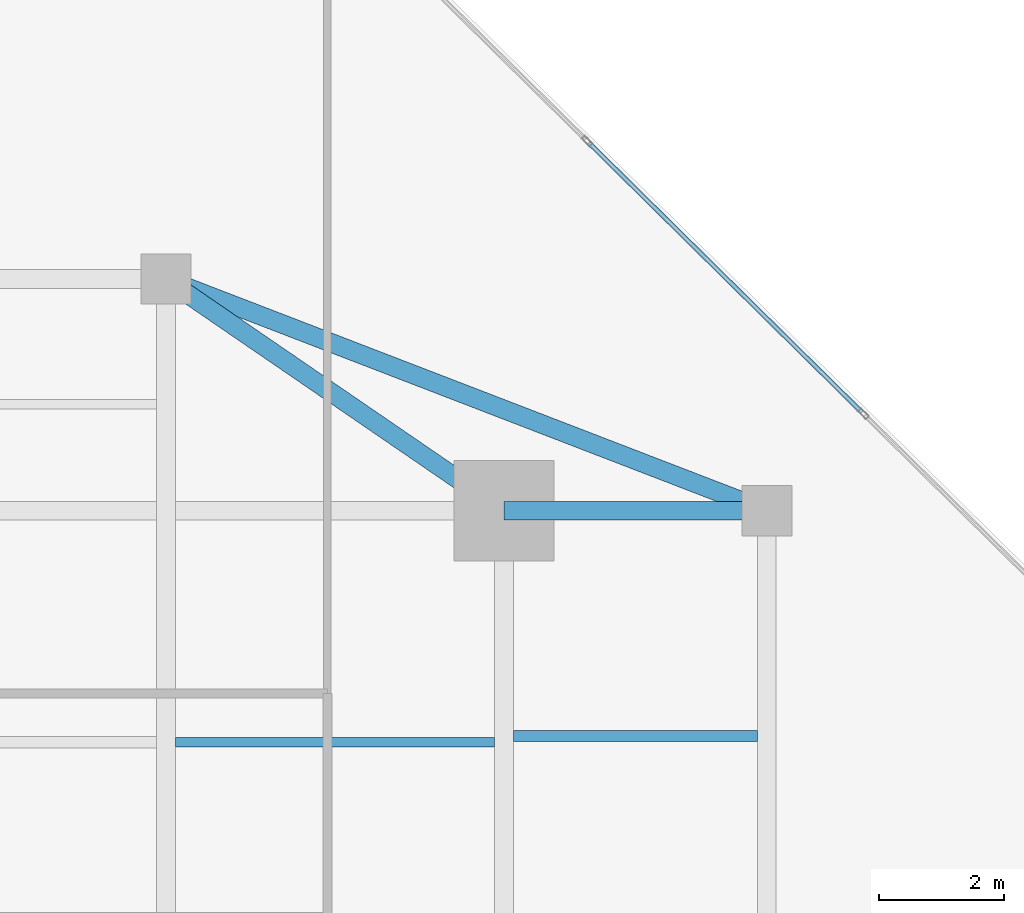
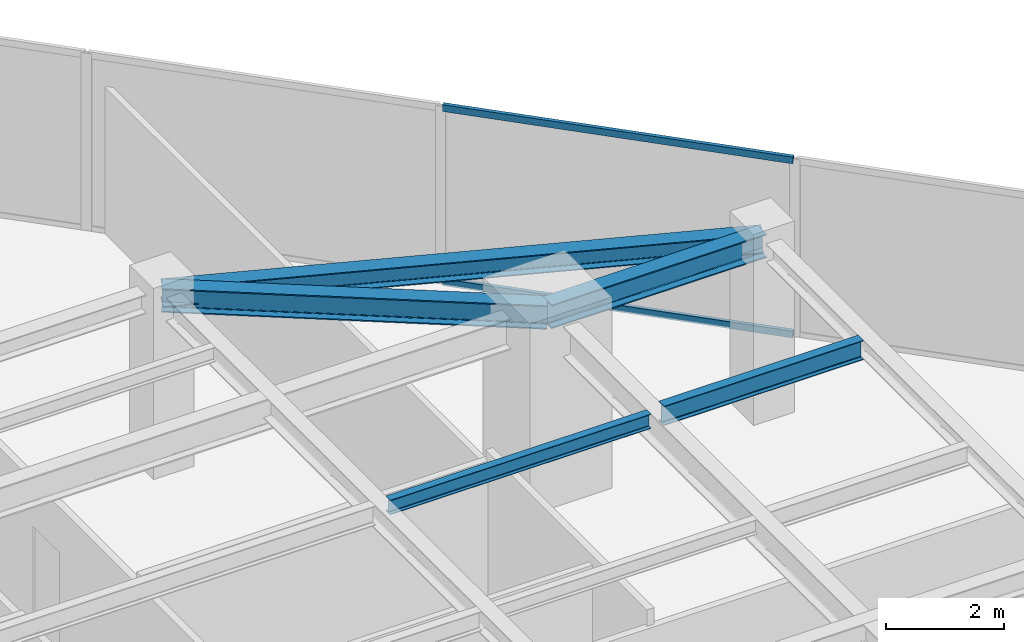
# One storey, part 17 of 24: 5 beams, 2 members, 1 element without a shape of its own.
"""IFC4 building model written with IfcOpenShell, lengths in metres."""

from ifc_helpers import new_model, si_unit, direction, frame, origin, origin_2d, place, context, subcontext, project, spatial, hollow_rectangle, i_section, extrude, source, transform, mapped, material, material_profile, profile_set, type_object, type_shapes, element, aggregate, save


model = new_model("IFC4")

# Units and contexts
model_context = context("Model", 3, precision=1e-05, world=origin(), true_north=direction((0.0, 1.0)))
body_context = subcontext(model_context, "Body", "Model", "MODEL_VIEW")
ifc_project = project(units=[si_unit("LENGTHUNIT", "METRE"), si_unit("AREAUNIT", "SQUARE_METRE"), si_unit("VOLUMEUNIT", "CUBIC_METRE"), si_unit("PLANEANGLEUNIT", "RADIAN"), si_unit("MASSUNIT", "GRAM", prefix="KILO")], contexts=[model_context])

# Site, building, storey
site_placement = place(None, origin())
site = spatial("IfcSite", under=ifc_project, at=site_placement, CompositionType="ELEMENT")
building_placement = place(site_placement, origin())
building = spatial("IfcBuilding", under=site, at=building_placement, Name="Krantzveldt Concourse Tower", CompositionType="ELEMENT")
storey_placement = place(building_placement, frame((0.0, 0.0, 231.0)))
storey = spatial("IfcBuildingStorey", under=building, at=storey_placement, Name="L56", CompositionType="ELEMENT", Elevation=231.0)

# Beams
ifc_material_1 = material(Name="Steel S355JR", Category="steel")
ifc_material_profile_1 = material_profile(ifc_material_1, i_section(OverallWidth=0.300048828125, OverallDepth=0.389892578125, WebThickness=0.010986328125, FlangeThickness=0.01904296875, FilletRadius=0.027099609375, at=origin_2d()), Name="Steel S355JR", Category="steel")
ifc_profile_set_1 = profile_set([ifc_material_profile_1], Name="Steel S355JR - HEA 400")
beam_type_1 = type_object("IfcBeamType", Name="BM-SP-HEA400", PredefinedType="SPANDREL", material=ifc_profile_set_1)
shared_shape_1 = source(origin(), body_context, "Body", "SweptSolid", [
    extrude(i_section(OverallWidth=0.300048828125, OverallDepth=0.389892578125, WebThickness=0.010986328125, FlangeThickness=0.01904296875, FilletRadius=0.027099609375, at=origin_2d()), origin(), (0.0, 0.0, 1.0), 10.288330078125),
])
type_shapes(beam_type_1, [shared_shape_1])
beam_1_placement = place(storey_placement, frame((41.39990234375, 41.199951171875, 3.47509765625), z_axis=(0.933097690408, -0.359622997257, 0.0), x_axis=(0.359622997257, 0.933097690408, 0.0)))
element("IfcBeam", 1, at=beam_1_placement, inside=storey, type_object=beam_type_1, Name="L56 Tower Girder SP-R05", PredefinedType="SPANDREL", context=body_context, shape_type="MappedRepresentation", body=[
    mapped(shared_shape_1, transform((0.0, 0.0, 0.0), x_axis=(1.0, 0.0, 0.0), y_axis=(0.0, 1.0, 0.0), z_axis=(0.0, 0.0, 1.0), scale=1.0)),
])
ifc_material_profile_2 = material_profile(ifc_material_1, i_section(OverallWidth=0.300048828125, OverallDepth=0.489990234375, WebThickness=0.011962890625, FlangeThickness=0.02294921875, FilletRadius=0.027099609375, at=origin_2d()), Name="Steel S355JR", Category="steel")
ifc_profile_set_2 = profile_set([ifc_material_profile_2], Name="Steel S355JR - HEA 500")
beam_type_2 = type_object("IfcBeamType", Name="BM-B-HEA500", PredefinedType="BEAM", material=ifc_profile_set_2)
shared_shape_2 = source(origin(), body_context, "Body", "SweptSolid", [
    extrude(i_section(OverallWidth=0.300048828125, OverallDepth=0.489990234375, WebThickness=0.011962890625, FlangeThickness=0.02294921875, FilletRadius=0.027099609375, at=origin_2d()), origin(), (0.0, 0.0, 1.0), 4.199951171875),
])
beam_2_placement = place(storey_placement, frame((46.800048828125, 37.5, 3.425048828125), z_axis=(1.0, 0.0, 0.0), x_axis=(0.0, 1.0, 0.0)))
element("IfcBeam", 2, at=beam_2_placement, inside=storey, type_object=beam_type_2, Name="L56 Tower Girder BR-RR3", PredefinedType="BEAM", context=body_context, shape_type="MappedRepresentation", body=[
    mapped(shared_shape_2, transform((0.0, 0.0, 0.0), x_axis=(1.0, 0.0, 0.0), y_axis=(0.0, 1.0, 0.0), z_axis=(0.0, 0.0, 1.0), scale=1.0)),
])
shared_shape_3 = source(origin(), body_context, "Body", "SweptSolid", [
    extrude(i_section(OverallWidth=0.300048828125, OverallDepth=0.489990234375, WebThickness=0.011962890625, FlangeThickness=0.02294921875, FilletRadius=0.027099609375, at=origin_2d()), origin(), (0.0, 0.0, 1.0), 6.546142578125),
])
type_shapes(beam_type_2, [shared_shape_2, shared_shape_3])
beam_3_placement = place(storey_placement, frame((46.800048828125, 37.5, 3.425048828125), z_axis=(-0.824942999484, 0.565215930068, 0.0), x_axis=(-0.565215930068, -0.824942999484, 0.0)))
element("IfcBeam", 3, at=beam_3_placement, inside=storey, type_object=beam_type_2, Name="L56 Tower Girder BR-RR4", PredefinedType="BEAM", context=body_context, shape_type="MappedRepresentation", body=[
    mapped(shared_shape_3, transform((0.0, 0.0, 0.0), x_axis=(1.0, 0.0, 0.0), y_axis=(0.0, 1.0, 0.0), z_axis=(0.0, 0.0, 1.0), scale=1.0)),
])
ifc_material_profile_3 = material_profile(ifc_material_1, i_section(OverallWidth=0.14990234375, OverallDepth=0.300048828125, WebThickness=0.007080078125, FlangeThickness=0.0107421875, FilletRadius=0.014892578125, at=origin_2d()), Name="Steel S355JR", Category="steel")
ifc_profile_set_3 = profile_set([ifc_material_profile_3], Name="Steel S355JR - IPE 300")
beam_type_3 = type_object("IfcBeamType", Name="BM-J-IPE300", PredefinedType="JOIST", material=ifc_profile_set_3)
shared_shape_4 = source(origin(), body_context, "Body", "SweptSolid", [
    extrude(i_section(OverallWidth=0.14990234375, OverallDepth=0.300048828125, WebThickness=0.007080078125, FlangeThickness=0.0107421875, FilletRadius=0.014892578125, at=origin_2d()), origin(), (0.0, 0.0, 1.0), 5.099853515625),
])
type_shapes(beam_type_3, [shared_shape_4])
beam_4_placement = place(storey_placement, frame((41.550048828125, 33.800048828125, 3.52001953125), z_axis=(1.0, 0.0, 0.0), x_axis=(0.0, 1.0, 0.0)))
element("IfcBeam", 4, at=beam_4_placement, inside=storey, type_object=beam_type_3, Name="L56 Secondary Floor Joist JN-E2", PredefinedType="JOIST", context=body_context, shape_type="MappedRepresentation", body=[
    mapped(shared_shape_4, transform((0.0, 0.0, 0.0), x_axis=(1.0, 0.0, 0.0), y_axis=(0.0, 1.0, 0.0), z_axis=(0.0, 0.0, 1.0), scale=1.0)),
])
ifc_material_profile_4 = material_profile(ifc_material_1, i_section(OverallWidth=0.179931640625, OverallDepth=0.39990234375, WebThickness=0.008544921875, FlangeThickness=0.013427734375, FilletRadius=0.02099609375, at=origin_2d()), Name="Steel S355JR", Category="steel")
ifc_profile_set_4 = profile_set([ifc_material_profile_4], Name="Steel S355JR - IPE 400")
beam_type_4 = type_object("IfcBeamType", Name="BM-J-IPE400", PredefinedType="JOIST", material=ifc_profile_set_4)
shared_shape_5 = source(origin(), body_context, "Body", "SweptSolid", [
    extrude(i_section(OverallWidth=0.179931640625, OverallDepth=0.39990234375, WebThickness=0.008544921875, FlangeThickness=0.013427734375, FilletRadius=0.02099609375, at=origin_2d()), origin(), (0.0, 0.0, 1.0), 3.900146484375),
])
type_shapes(beam_type_4, [shared_shape_5])
beam_5_placement = place(storey_placement, frame((46.949951171875, 33.89990234375, 3.469970703125), z_axis=(1.0, 0.0, 0.0), x_axis=(0.0, 1.0, 0.0)))
element("IfcBeam", 5, at=beam_5_placement, inside=storey, type_object=beam_type_4, Name="L56 Secondary Floor Joist JE-4", PredefinedType="JOIST", context=body_context, shape_type="MappedRepresentation", body=[
    mapped(shared_shape_5, transform((0.0, 0.0, 0.0), x_axis=(1.0, 0.0, 0.0), y_axis=(0.0, 1.0, 0.0), z_axis=(0.0, 0.0, 1.0), scale=1.0)),
])

# Curtain wall, members
ifc_material_2 = material(Name="Anodised aluminium 6063-T6", Category="aluminium")
curtain_wall_type = type_object("IfcCurtainWallType", Name="CW3", PredefinedType="USERDEFINED", material=ifc_material_2)
curtain_wall_placement = place(storey_placement, origin())
curtain_wall = element("IfcCurtainWall", 6, at=curtain_wall_placement, inside=storey, type_object=curtain_wall_type, Name="CW-L56-F10", ObjectType="UNITISED CURTAIN WALL", PredefinedType="USERDEFINED")
ifc_material_profile_5 = material_profile(ifc_material_2, hollow_rectangle(XDim=0.070068359375, YDim=0.139892578125, WallThickness=0.0048828125, at=origin_2d()), Name="Anodised aluminium 6063-T6", Category="aluminium")
ifc_profile_set_5 = profile_set([ifc_material_profile_5], Name="Anodised aluminium 6063-T6 - ALU-TRAN 140x70x5")
member_type = type_object("IfcMemberType", Name="CW-TRN-150", PredefinedType="USERDEFINED", material=ifc_profile_set_5)
shared_shape_6 = source(origin(), body_context, "Body", "SweptSolid", [
    extrude(hollow_rectangle(XDim=0.070068359375, YDim=0.139892578125, WallThickness=0.0048828125, at=origin_2d()), origin(), (0.0, 0.0, 1.0), 6.1298828125),
])
type_shapes(member_type, [shared_shape_6])
member_1_placement = place(storey_placement, frame((52.518798828125, 39.0732421875, 0.034912109375), z_axis=(-0.711751205144, 0.702431649327, 0.0), x_axis=(-0.702431649327, -0.711751205144, 0.0)))
member_1 = element("IfcMember", 7, at=member_1_placement, type_object=member_type, Name="CW-Z34 transom 3.1", ObjectType="TRANSOM", PredefinedType="USERDEFINED", context=body_context, shape_type="MappedRepresentation", body=[
    mapped(shared_shape_6, transform((0.0, 0.0, 0.0), x_axis=(1.0, 0.0, 0.0), y_axis=(0.0, 1.0, 0.0), z_axis=(0.0, 0.0, 1.0), scale=1.0)),
])
member_2_placement = place(storey_placement, frame((52.518798828125, 39.0732421875, 3.635009765625), z_axis=(-0.711751205144, 0.702431649327, 0.0), x_axis=(-0.702431649327, -0.711751205144, 0.0)))
member_2 = element("IfcMember", 8, at=member_2_placement, type_object=member_type, Name="CW-Z34 transom 3.2", ObjectType="TRANSOM", PredefinedType="USERDEFINED", context=body_context, shape_type="MappedRepresentation", body=[
    mapped(shared_shape_6, transform((0.0, 0.0, 0.0), x_axis=(1.0, 0.0, 0.0), y_axis=(0.0, 1.0, 0.0), z_axis=(0.0, 0.0, 1.0), scale=1.0)),
])
aggregate(curtain_wall, [member_1, member_2])

save(model, "model.ifc")
